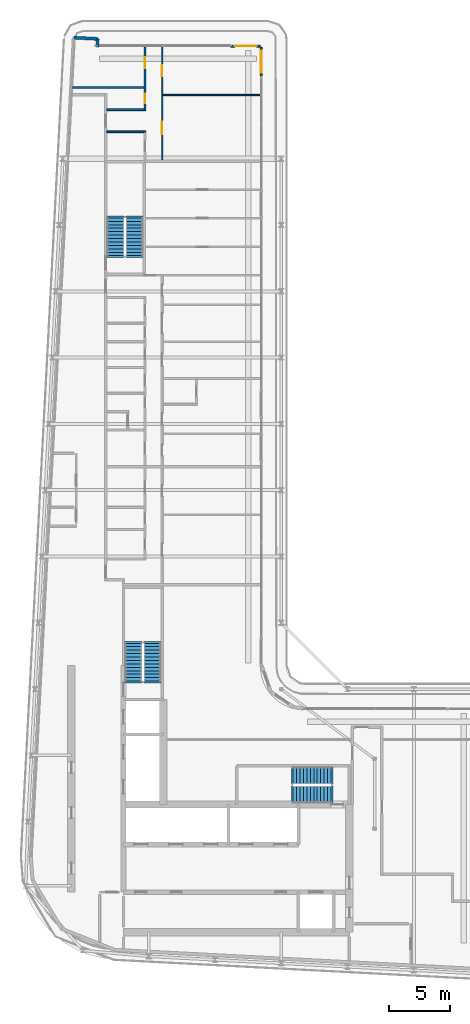
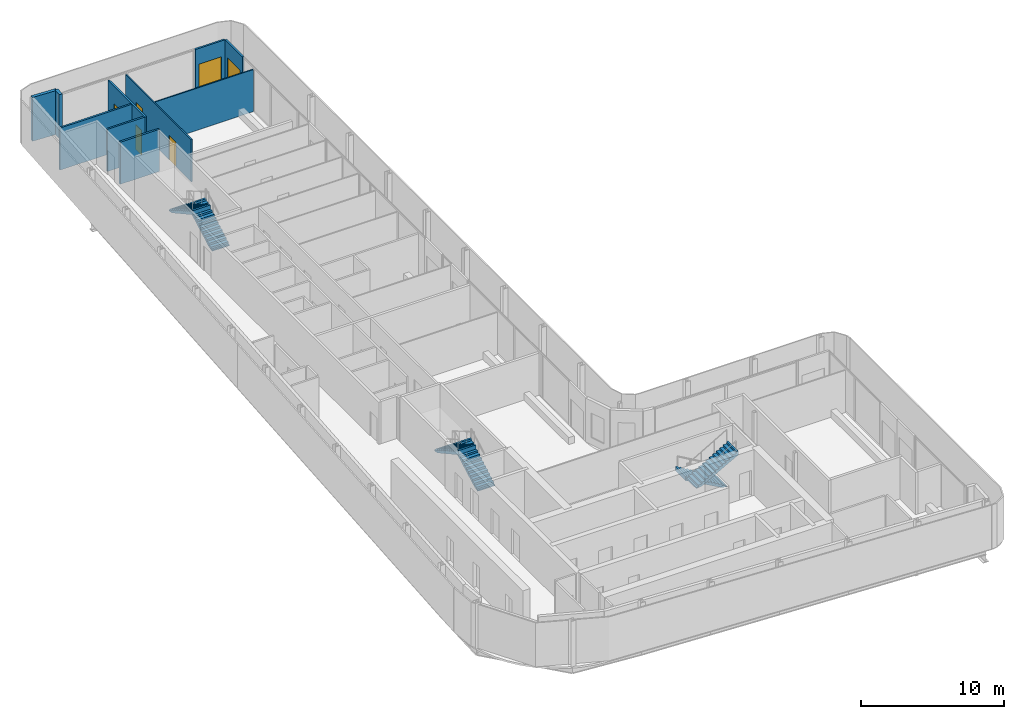
# One storey, part 15 of 21: 10 walls, 6 doors, 6 stair flights, 6 openings, 3 elements without a shape of their own.
"""IFC4 building model written with IfcOpenShell, lengths in metres."""

from ifc_helpers import new_model, si_unit, direction, frame, frame_2d, origin, place, context, subcontext, project, spatial, polyline, rectangle, outline, extrude, source, transform, mapped, material, layer, layer_set, type_object, element, fill, aggregate, save


model = new_model("IFC4")

# Units and contexts
model_context = context("Model", 3, precision=1e-05, world=origin(), true_north=direction((0.0, 1.0)))
body_context = subcontext(model_context, "Body", "Model", "MODEL_VIEW")
ifc_project = project(units=[si_unit("LENGTHUNIT", "METRE"), si_unit("AREAUNIT", "SQUARE_METRE"), si_unit("VOLUMEUNIT", "CUBIC_METRE"), si_unit("PLANEANGLEUNIT", "RADIAN"), si_unit("MASSUNIT", "GRAM", prefix="KILO")], contexts=[model_context])

# Site, building, storey
site_placement = place(None, origin())
site = spatial("IfcSite", under=ifc_project, at=site_placement, CompositionType="ELEMENT")
building_placement = place(site_placement, origin())
building = spatial("IfcBuilding", under=site, at=building_placement, Name="Kheshtan School and Residences Tower", CompositionType="ELEMENT")
storey_placement = place(building_placement, frame((0.0, 0.0, 278.60009765625)))
storey = spatial("IfcBuildingStorey", under=building, at=storey_placement, Name="L65", CompositionType="ELEMENT", Elevation=278.60009765625)

# Walls
ifc_material_1 = material(Name="Concrete C40/50 with ceramic cladding and mineral wool insulation", Category="concrete")
ifc_layer_1 = layer(ifc_material_1, 0.25)
ifc_layer_set_1 = layer_set([ifc_layer_1], Name="External wall 250 ceramic clad")
wall_type_1 = type_object("IfcWallType", Name="External wall 250 ceramic clad", PredefinedType="SOLIDWALL", material=ifc_layer_set_1)
wall_1_placement = place(storey_placement, frame((30.705078125, 98.6640625, 0.0), z_axis=(0.0, 0.0, 1.0), x_axis=(0.998577785791, -0.053314216913, 0.0)))
element("IfcWall", 1, at=wall_1_placement, inside=storey, type_object=wall_type_1, Name="External wall L65 5", PredefinedType="SOLIDWALL", context=body_context, shape_type="SweptSolid", body=[
    extrude(rectangle(XDim=1.95068359375, YDim=0.25, at=frame_2d((0.975341796875, 0.0))), origin(), (0.0, 0.0, 1.0), 3.75),
])
wall_2_placement = place(storey_placement, frame((32.653076171875, 98.56005859375, 0.0), z_axis=(0.0, 0.0, 1.0), x_axis=(-0.054093451632, -0.998535877418, 0.0)))
element("IfcWall", 2, at=wall_2_placement, inside=storey, type_object=wall_type_1, Name="External wall L65 6", PredefinedType="SOLIDWALL", context=body_context, shape_type="SweptSolid", body=[
    extrude(rectangle(XDim=0.66796875, YDim=0.25, at=frame_2d((0.333984375, 0.0))), origin(), (0.0, 0.0, 1.0), 3.75),
])

# Wall, opening, door
ifc_material_2 = material(Name="Aluminium frame wall with insulated infill", Category="aluminium")
ifc_layer_2 = layer(ifc_material_2, 0.14990234375)
ifc_layer_set_2 = layer_set([ifc_layer_2], Name="Glazing frame wall 150")
wall_type_2 = type_object("IfcWallType", Name="Glazing frame wall 150", PredefinedType="SOLIDWALL", material=ifc_layer_set_2)
wall_3_placement = place(storey_placement, frame((43.5, 97.97509765625, 0.0), z_axis=(0.0, 0.0, 1.0), x_axis=(1.0, 0.0, 0.0)))
wall_3 = element("IfcWall", 3, at=wall_3_placement, inside=storey, type_object=wall_type_2, Name="Balcony door wall L65 7.1", PredefinedType="SOLIDWALL", context=body_context, shape_type="SweptSolid", body=[
    extrude(rectangle(XDim=2.39990234375, YDim=0.14990234375, at=frame_2d((1.199951171875, 0.0))), origin(), (0.0, 0.0, 1.0), 3.75),
])
opening_1_placement = place(wall_3_placement, frame((0.300048828125, 0.0, 0.0)))
opening_1 = element("IfcOpeningElement", 4, at=opening_1_placement, cuts=wall_3, Name="Opening BD", PredefinedType="OPENING", context=body_context, shape_type="SweptSolid", body=[
    extrude(rectangle(XDim=1.800048828125, YDim=2.39990234375, at=frame_2d((0.89990234375, 1.199951171875))), frame((0.0, 0.0849609375, 0.0), z_axis=(0.0, -1.0, 0.0), x_axis=(1.0, 0.0, 0.0)), (0.0, 0.0, 1.0), 0.169921875),
])
ifc_material_3 = material(Name="Clear low-e glass in thermally broken aluminium frame", Category="aluminium")
door_type_1 = type_object("IfcDoorType", Name="Balcony sliding door", OperationType="SLIDING_TO_LEFT", PredefinedType="DOOR", material=ifc_material_3)
shared_shape_1 = source(origin(), body_context, "Body", "SweptSolid", [
    extrude(rectangle(XDim=1.800048828125, YDim=2.39990234375, at=frame_2d((0.89990234375, 1.199951171875))), frame((0.0, 0.02490234375, 0.0), z_axis=(0.0, -1.0, 0.0), x_axis=(1.0, 0.0, 0.0)), (0.0, 0.0, 1.0), 0.050048828125),
])
door_1_placement = place(opening_1_placement, origin())
door_1 = element("IfcDoor", 5, at=door_1_placement, inside=storey, type_object=door_type_1, Name="Balcony door L65 7.1", OperationType="SLIDING_TO_LEFT", OverallHeight=2.39990234375, OverallWidth=1.800048828125, PredefinedType="DOOR", context=body_context, shape_type="MappedRepresentation", body=[
    mapped(shared_shape_1, transform((0.0, 0.0, 0.0), x_axis=(1.0, 0.0, 0.0), y_axis=(0.0, 1.0, 0.0), z_axis=(0.0, 0.0, 1.0), scale=1.0)),
])
fill(opening_1, door_1)

wall_4_placement = place(storey_placement, frame((45.97509765625, 97.89990234375, 0.0), z_axis=(0.0, 0.0, 1.0), x_axis=(0.0, -1.0, 0.0)))
wall_4 = element("IfcWall", 6, at=wall_4_placement, inside=storey, type_object=wall_type_2, Name="Balcony door wall L65 8.1", PredefinedType="SOLIDWALL", context=body_context, shape_type="SweptSolid", body=[
    extrude(rectangle(XDim=2.39990234375, YDim=0.14990234375, at=frame_2d((1.199951171875, 0.0))), origin(), (0.0, 0.0, 1.0), 3.75),
])
opening_2_placement = place(wall_4_placement, frame((0.300048828125, 0.0, 0.0)))
opening_2 = element("IfcOpeningElement", 7, at=opening_2_placement, cuts=wall_4, Name="Opening BD", PredefinedType="OPENING", context=body_context, shape_type="SweptSolid", body=[
    extrude(rectangle(XDim=1.800048828125, YDim=2.39990234375, at=frame_2d((0.89990234375, 1.199951171875))), frame((0.0, 0.0849609375, 0.0), z_axis=(0.0, -1.0, 0.0), x_axis=(1.0, 0.0, 0.0)), (0.0, 0.0, 1.0), 0.169921875),
])
door_2_placement = place(opening_2_placement, origin())
door_2 = element("IfcDoor", 8, at=door_2_placement, inside=storey, type_object=door_type_1, Name="Balcony door L65 8.1", OperationType="SLIDING_TO_LEFT", OverallHeight=2.39990234375, OverallWidth=1.800048828125, PredefinedType="DOOR", context=body_context, shape_type="MappedRepresentation", body=[
    mapped(shared_shape_1, transform((0.0, 0.0, 0.0), x_axis=(1.0, 0.0, 0.0), y_axis=(0.0, 1.0, 0.0), z_axis=(0.0, 0.0, 1.0), scale=1.0)),
])
fill(opening_2, door_2)

# Wall, openings, doors
ifc_material_4 = material(Name="Gypsum board on steel studs", Category="steel")
ifc_layer_3 = layer(ifc_material_4, 0.10009765625)
ifc_layer_set_3 = layer_set([ifc_layer_3], Name="Gypsum partition 100")
wall_type_3 = type_object("IfcWallType", Name="Gypsum partition 100", PredefinedType="PARTITIONING", material=ifc_layer_set_3)
wall_5_placement = place(storey_placement, frame((37.89990234375, 88.699951171875, 0.0), z_axis=(0.0, 0.0, 1.0), x_axis=(0.0, 1.0, 0.0)))
wall_5 = element("IfcWall", 9, at=wall_5_placement, inside=storey, type_object=wall_type_3, Name="Partition L65-033", PredefinedType="PARTITIONING", context=body_context, shape_type="SweptSolid", body=[
    extrude(rectangle(XDim=9.199951171875, YDim=0.10009765625, at=frame_2d((4.60009765625, 0.0))), origin(), (0.0, 0.0, 1.0), 3.599853515625),
])
opening_3_placement = place(wall_5_placement, frame((6.800048828125, 0.0, 0.0)))
opening_3 = element("IfcOpeningElement", 10, at=opening_3_placement, cuts=wall_5, Name="Opening D64-026", PredefinedType="OPENING", context=body_context, shape_type="SweptSolid", body=[
    extrude(rectangle(XDim=0.89990234375, YDim=2.10009765625, at=frame_2d((0.449951171875, 1.050048828125))), frame((0.0, 0.06005859375, 0.0), z_axis=(0.0, -1.0, 0.0), x_axis=(1.0, 0.0, 0.0)), (0.0, 0.0, 1.0), 0.1201171875),
])
opening_4_placement = place(wall_5_placement, frame((2.10009765625, 0.0, 0.0)))
opening_4 = element("IfcOpeningElement", 11, at=opening_4_placement, cuts=wall_5, Name="Opening D64-029", PredefinedType="OPENING", context=body_context, shape_type="SweptSolid", body=[
    extrude(rectangle(XDim=1.0, YDim=2.10009765625, at=frame_2d((0.5, 1.050048828125))), frame((0.0, 0.06005859375, 0.0), z_axis=(0.0, -1.0, 0.0), x_axis=(1.0, 0.0, 0.0)), (0.0, 0.0, 1.0), 0.1201171875),
])
ifc_material_5 = material(Name="Veneered timber door leaf", Category="wood")
door_type_2 = type_object("IfcDoorType", Name="Door 1000 x 2100", OperationType="SINGLE_SWING_LEFT", PredefinedType="DOOR", material=ifc_material_5)
shared_shape_2 = source(origin(), body_context, "Body", "SweptSolid", [
    extrude(rectangle(XDim=1.0, YDim=2.10009765625, at=frame_2d((0.5, 1.050048828125))), frame((0.0, 0.02490234375, 0.0), z_axis=(0.0, -1.0, 0.0), x_axis=(1.0, 0.0, 0.0)), (0.0, 0.0, 1.0), 0.050048828125),
])
door_3_placement = place(opening_4_placement, origin())
door_3 = element("IfcDoor", 12, at=door_3_placement, inside=storey, type_object=door_type_2, Name="Door D64-029", OperationType="SINGLE_SWING_LEFT", OverallHeight=2.10009765625, OverallWidth=1.0, PredefinedType="DOOR", context=body_context, shape_type="MappedRepresentation", body=[
    mapped(shared_shape_2, transform((0.0, 0.0, 0.0), x_axis=(1.0, 0.0, 0.0), y_axis=(0.0, 1.0, 0.0), z_axis=(0.0, 0.0, 1.0), scale=1.0)),
])
fill(opening_4, door_3)
door_type_3 = type_object("IfcDoorType", Name="Door 900 x 2100", OperationType="SINGLE_SWING_LEFT", PredefinedType="DOOR", material=ifc_material_5)
shared_shape_3 = source(origin(), body_context, "Body", "SweptSolid", [
    extrude(rectangle(XDim=0.89990234375, YDim=2.10009765625, at=frame_2d((0.449951171875, 1.050048828125))), frame((0.0, 0.02490234375, 0.0), z_axis=(0.0, -1.0, 0.0), x_axis=(1.0, 0.0, 0.0)), (0.0, 0.0, 1.0), 0.050048828125),
])
door_4_placement = place(opening_3_placement, origin())
door_4 = element("IfcDoor", 13, at=door_4_placement, inside=storey, type_object=door_type_3, Name="Door D64-026", OperationType="SINGLE_SWING_RIGHT", OverallHeight=2.10009765625, OverallWidth=0.89990234375, PredefinedType="DOOR", context=body_context, shape_type="MappedRepresentation", body=[
    mapped(shared_shape_3, transform((0.0, 0.0, 0.0), x_axis=(1.0, 0.0, 0.0), y_axis=(0.0, 1.0, 0.0), z_axis=(0.0, 0.0, 1.0), scale=1.0)),
])
fill(opening_3, door_4)

# Walls
wall_6_placement = place(storey_placement, frame((37.949951171875, 94.0, 0.0), z_axis=(0.0, 0.0, 1.0), x_axis=(1.0, 0.0, 0.0)))
element("IfcWall", 14, at=wall_6_placement, inside=storey, type_object=wall_type_3, Name="Partition L65-034", PredefinedType="PARTITIONING", context=body_context, shape_type="SweptSolid", body=[
    extrude(rectangle(XDim=7.949951171875, YDim=0.10009765625, at=frame_2d((3.97509765625, 0.0))), origin(), (0.0, 0.0, 1.0), 3.599853515625),
])
ifc_material_6 = material(Name="Moisture-resistant gypsum board on steel studs", Category="steel")
ifc_layer_4 = layer(ifc_material_6, 0.14990234375)
ifc_layer_set_4 = layer_set([ifc_layer_4], Name="Wet-room partition 150")
wall_type_4 = type_object("IfcWallType", Name="Wet-room partition 150", PredefinedType="PARTITIONING", material=ifc_layer_set_4)
wall_7_placement = place(storey_placement, frame((30.616943359375, 94.60009765625, 0.0), z_axis=(0.0, 0.0, 1.0), x_axis=(1.0, 0.0, 0.0)))
element("IfcWall", 15, at=wall_7_placement, inside=storey, type_object=wall_type_4, Name="Partition L65-001", PredefinedType="PARTITIONING", context=body_context, shape_type="SweptSolid", body=[
    extrude(rectangle(XDim=5.80810546875, YDim=0.14990234375, at=frame_2d((2.904052734375, 0.0))), origin(), (0.0, 0.0, 1.0), 3.599853515625),
])
wall_8_placement = place(storey_placement, frame((33.39990234375, 91.0, 0.0), z_axis=(0.0, 0.0, 1.0), x_axis=(1.0, 0.0, 0.0)))
element("IfcWall", 16, at=wall_8_placement, inside=storey, type_object=wall_type_4, Name="Partition L65-018", PredefinedType="PARTITIONING", context=body_context, shape_type="SweptSolid", body=[
    extrude(rectangle(XDim=3.175048828125, YDim=0.14990234375, at=frame_2d((1.58740234375, 0.0))), origin(), (0.0, 0.0, 1.0), 3.599853515625),
])
wall_9_placement = place(storey_placement, frame((33.39990234375, 92.800048828125, 0.0), z_axis=(0.0, 0.0, 1.0), x_axis=(1.0, 0.0, 0.0)))
element("IfcWall", 17, at=wall_9_placement, inside=storey, type_object=wall_type_4, Name="Partition L65-019", PredefinedType="PARTITIONING", context=body_context, shape_type="SweptSolid", body=[
    extrude(rectangle(XDim=3.025146484375, YDim=0.14990234375, at=frame_2d((1.5126953125, 0.0))), origin(), (0.0, 0.0, 1.0), 3.599853515625),
])

# Wall, openings, doors
wall_10_placement = place(storey_placement, frame((36.5, 92.72509765625, 0.0), z_axis=(0.0, 0.0, 1.0), x_axis=(0.0, 1.0, 0.0)))
wall_10 = element("IfcWall", 18, at=wall_10_placement, inside=storey, type_object=wall_type_4, Name="Partition L65-027", PredefinedType="PARTITIONING", context=body_context, shape_type="SweptSolid", body=[
    extrude(rectangle(XDim=5.1748046875, YDim=0.14990234375, at=frame_2d((2.58740234375, 0.0))), origin(), (0.0, 0.0, 1.0), 3.599853515625),
])
opening_5_placement = place(wall_10_placement, frame((3.425048828125, 0.0, 0.0)))
opening_5 = element("IfcOpeningElement", 19, at=opening_5_placement, cuts=wall_10, Name="Opening D64-028", PredefinedType="OPENING", context=body_context, shape_type="SweptSolid", body=[
    extrude(rectangle(XDim=0.89990234375, YDim=2.10009765625, at=frame_2d((0.449951171875, 1.050048828125))), frame((0.0, 0.0849609375, 0.0), z_axis=(0.0, -1.0, 0.0), x_axis=(1.0, 0.0, 0.0)), (0.0, 0.0, 1.0), 0.169921875),
])
opening_6_placement = place(wall_10_placement, frame((0.574951171875, 0.0, 0.0)))
opening_6 = element("IfcOpeningElement", 20, at=opening_6_placement, cuts=wall_10, Name="Opening D64-030", PredefinedType="OPENING", context=body_context, shape_type="SweptSolid", body=[
    extrude(rectangle(XDim=0.800048828125, YDim=2.10009765625, at=frame_2d((0.39990234375, 1.050048828125))), frame((0.0, 0.0849609375, 0.0), z_axis=(0.0, -1.0, 0.0), x_axis=(1.0, 0.0, 0.0)), (0.0, 0.0, 1.0), 0.169921875),
])
door_type_4 = type_object("IfcDoorType", Name="Door 800 x 2100", OperationType="SINGLE_SWING_LEFT", PredefinedType="DOOR", material=ifc_material_5)
shared_shape_4 = source(origin(), body_context, "Body", "SweptSolid", [
    extrude(rectangle(XDim=0.800048828125, YDim=2.10009765625, at=frame_2d((0.39990234375, 1.050048828125))), frame((0.0, 0.02490234375, 0.0), z_axis=(0.0, -1.0, 0.0), x_axis=(1.0, 0.0, 0.0)), (0.0, 0.0, 1.0), 0.050048828125),
])
door_5_placement = place(opening_6_placement, origin())
door_5 = element("IfcDoor", 21, at=door_5_placement, inside=storey, type_object=door_type_4, Name="Door D64-030", OperationType="SINGLE_SWING_RIGHT", OverallHeight=2.10009765625, OverallWidth=0.800048828125, PredefinedType="DOOR", context=body_context, shape_type="MappedRepresentation", body=[
    mapped(shared_shape_4, transform((0.0, 0.0, 0.0), x_axis=(1.0, 0.0, 0.0), y_axis=(0.0, 1.0, 0.0), z_axis=(0.0, 0.0, 1.0), scale=1.0)),
])
fill(opening_6, door_5)
door_6_placement = place(opening_5_placement, origin())
door_6 = element("IfcDoor", 22, at=door_6_placement, inside=storey, type_object=door_type_3, Name="Door D64-028", OperationType="SINGLE_SWING_RIGHT", OverallHeight=2.10009765625, OverallWidth=0.89990234375, PredefinedType="DOOR", context=body_context, shape_type="MappedRepresentation", body=[
    mapped(shared_shape_3, transform((0.0, 0.0, 0.0), x_axis=(1.0, 0.0, 0.0), y_axis=(0.0, 1.0, 0.0), z_axis=(0.0, 0.0, 1.0), scale=1.0)),
])
fill(opening_5, door_6)

# Stair, stair flights
ifc_material_7 = material(Name="Concrete C40/50", Category="concrete")
stair_type = type_object("IfcStairType", Name="Exit stair, half-turn", PredefinedType="HALF_TURN_STAIR", material=ifc_material_7)
stair_1_placement = place(storey_placement, origin())
stair_1 = element("IfcStair", 23, at=stair_1_placement, inside=storey, type_object=stair_type, Name="L65 Protected Exit Stair ST1", PredefinedType="HALF_TURN_STAIR")
ifc_layer_5 = layer(ifc_material_7, 0.14990234375)
ifc_layer_set_5 = layer_set([ifc_layer_5], Name="Stair flight 1400 Concrete C40/50")
stair_flight_type = type_object("IfcStairFlightType", Name="Stair flight 1400 Concrete C40/50", PredefinedType="STRAIGHT", material=ifc_layer_set_5)
stair_flight_1_placement = place(storey_placement, frame((51.64990234375, 38.550048828125, 0.0), z_axis=(0.0, 0.0, 1.0), x_axis=(-1.0, 0.0, 0.0)))
stair_flight_1 = element("IfcStairFlight", 24, at=stair_flight_1_placement, type_object=stair_flight_type, Name="ST1 flight 1", NumberOfRisers=12, NumberOfTreads=11, PredefinedType="STRAIGHT", RiserHeight=0.1625, TreadLength=0.28, context=body_context, shape_type="SweptSolid", body=[
    extrude(outline(polyline([(-0.14990234375, -0.10009765625), (-0.14990234375, 0.0), (0.0, 0.0), (0.0, 0.16259765625), (0.280029296875, 0.16259765625), (0.280029296875, 0.324951171875), (0.56005859375, 0.324951171875), (0.56005859375, 0.487548828125), (0.840087890625, 0.487548828125), (0.840087890625, 0.64990234375), (1.1201171875, 0.64990234375), (1.1201171875, 0.8125), (1.39990234375, 0.8125), (1.39990234375, 0.97509765625), (1.679931640625, 0.97509765625), (1.679931640625, 1.137451171875), (1.9599609375, 1.137451171875), (1.9599609375, 1.300048828125), (2.239990234375, 1.300048828125), (2.239990234375, 1.46240234375), (2.52001953125, 1.46240234375), (2.52001953125, 1.625), (2.800048828125, 1.625), (2.800048828125, 1.78759765625), (3.080078125, 1.78759765625), (3.080078125, 1.949951171875), (3.080078125, 1.969970703125), (3.22998046875, 1.969970703125), (3.22998046875, 1.6142578125), (0.298583984375, 0.0), (-0.14990234375, -0.10009765625)])), frame((0.0, 0.699951171875, 0.0), z_axis=(0.0, -1.0, 0.0), x_axis=(1.0, 0.0, 0.0)), (0.0, 0.0, 1.0), 1.39990234375),
])
stair_flight_2_placement = place(storey_placement, frame((48.570068359375, 37.0, 1.949951171875), z_axis=(0.0, 0.0, 1.0), x_axis=(1.0, 0.0, 0.0)))
stair_flight_2 = element("IfcStairFlight", 25, at=stair_flight_2_placement, type_object=stair_flight_type, Name="ST1 flight 2", NumberOfRisers=12, NumberOfTreads=11, PredefinedType="STRAIGHT", RiserHeight=0.1625, TreadLength=0.28, context=body_context, shape_type="SweptSolid", body=[
    extrude(outline(polyline([(-0.14990234375, -0.10009765625), (-0.14990234375, 0.0), (0.0, 0.0), (0.0, 0.16259765625), (0.280029296875, 0.16259765625), (0.280029296875, 0.324951171875), (0.56005859375, 0.324951171875), (0.56005859375, 0.487548828125), (0.840087890625, 0.487548828125), (0.840087890625, 0.64990234375), (1.1201171875, 0.64990234375), (1.1201171875, 0.8125), (1.39990234375, 0.8125), (1.39990234375, 0.97509765625), (1.679931640625, 0.97509765625), (1.679931640625, 1.137451171875), (1.9599609375, 1.137451171875), (1.9599609375, 1.300048828125), (2.239990234375, 1.300048828125), (2.239990234375, 1.46240234375), (2.52001953125, 1.46240234375), (2.52001953125, 1.625), (2.800048828125, 1.625), (2.800048828125, 1.78759765625), (3.080078125, 1.78759765625), (3.080078125, 1.949951171875), (3.080078125, 1.969970703125), (3.22998046875, 1.969970703125), (3.22998046875, 1.6142578125), (0.298583984375, 0.0), (-0.14990234375, -0.10009765625)])), frame((0.0, 0.699951171875, 0.0), z_axis=(0.0, -1.0, 0.0), x_axis=(1.0, 0.0, 0.0)), (0.0, 0.0, 1.0), 1.39990234375),
])
aggregate(stair_1, [stair_flight_1, stair_flight_2])

stair_2_placement = place(storey_placement, origin())
stair_2 = element("IfcStair", 26, at=stair_2_placement, inside=storey, type_object=stair_type, Name="L65 Protected Exit Stair ST2", PredefinedType="HALF_TURN_STAIR")
stair_flight_3_placement = place(storey_placement, frame((37.10009765625, 46.25, 0.0), z_axis=(0.0, 0.0, 1.0), x_axis=(0.0, 1.0, 0.0)))
stair_flight_3 = element("IfcStairFlight", 27, at=stair_flight_3_placement, type_object=stair_flight_type, Name="ST2 flight 1", NumberOfRisers=12, NumberOfTreads=11, PredefinedType="STRAIGHT", RiserHeight=0.1625, TreadLength=0.28, context=body_context, shape_type="SweptSolid", body=[
    extrude(outline(polyline([(-0.14990234375, -0.10009765625), (-0.14990234375, 0.0), (0.0, 0.0), (0.0, 0.16259765625), (0.280029296875, 0.16259765625), (0.280029296875, 0.324951171875), (0.56005859375, 0.324951171875), (0.56005859375, 0.487548828125), (0.840087890625, 0.487548828125), (0.840087890625, 0.64990234375), (1.1201171875, 0.64990234375), (1.1201171875, 0.8125), (1.39990234375, 0.8125), (1.39990234375, 0.97509765625), (1.679931640625, 0.97509765625), (1.679931640625, 1.137451171875), (1.9599609375, 1.137451171875), (1.9599609375, 1.300048828125), (2.239990234375, 1.300048828125), (2.239990234375, 1.46240234375), (2.52001953125, 1.46240234375), (2.52001953125, 1.625), (2.800048828125, 1.625), (2.800048828125, 1.78759765625), (3.080078125, 1.78759765625), (3.080078125, 1.949951171875), (3.080078125, 1.969970703125), (3.22998046875, 1.969970703125), (3.22998046875, 1.6142578125), (0.298583984375, 0.0), (-0.14990234375, -0.10009765625)])), frame((0.0, 0.699951171875, 0.0), z_axis=(0.0, -1.0, 0.0), x_axis=(1.0, 0.0, 0.0)), (0.0, 0.0, 1.0), 1.39990234375),
])
stair_flight_4_placement = place(storey_placement, frame((35.550048828125, 49.330078125, 1.949951171875), z_axis=(0.0, 0.0, 1.0), x_axis=(0.0, -1.0, 0.0)))
stair_flight_4 = element("IfcStairFlight", 28, at=stair_flight_4_placement, type_object=stair_flight_type, Name="ST2 flight 2", NumberOfRisers=12, NumberOfTreads=11, PredefinedType="STRAIGHT", RiserHeight=0.1625, TreadLength=0.28, context=body_context, shape_type="SweptSolid", body=[
    extrude(outline(polyline([(-0.14990234375, -0.10009765625), (-0.14990234375, 0.0), (0.0, 0.0), (0.0, 0.16259765625), (0.280029296875, 0.16259765625), (0.280029296875, 0.324951171875), (0.56005859375, 0.324951171875), (0.56005859375, 0.487548828125), (0.840087890625, 0.487548828125), (0.840087890625, 0.64990234375), (1.1201171875, 0.64990234375), (1.1201171875, 0.8125), (1.39990234375, 0.8125), (1.39990234375, 0.97509765625), (1.679931640625, 0.97509765625), (1.679931640625, 1.137451171875), (1.9599609375, 1.137451171875), (1.9599609375, 1.300048828125), (2.239990234375, 1.300048828125), (2.239990234375, 1.46240234375), (2.52001953125, 1.46240234375), (2.52001953125, 1.625), (2.800048828125, 1.625), (2.800048828125, 1.78759765625), (3.080078125, 1.78759765625), (3.080078125, 1.949951171875), (3.080078125, 1.969970703125), (3.22998046875, 1.969970703125), (3.22998046875, 1.6142578125), (0.298583984375, 0.0), (-0.14990234375, -0.10009765625)])), frame((0.0, 0.699951171875, 0.0), z_axis=(0.0, -1.0, 0.0), x_axis=(1.0, 0.0, 0.0)), (0.0, 0.0, 1.0), 1.39990234375),
])
aggregate(stair_2, [stair_flight_3, stair_flight_4])

stair_3_placement = place(storey_placement, origin())
stair_3 = element("IfcStair", 29, at=stair_3_placement, inside=storey, type_object=stair_type, Name="L65 Protected Exit Stair ST3", PredefinedType="HALF_TURN_STAIR")
stair_flight_5_placement = place(storey_placement, frame((35.64990234375, 80.89990234375, 0.0), z_axis=(0.0, 0.0, 1.0), x_axis=(0.0, 1.0, 0.0)))
stair_flight_5 = element("IfcStairFlight", 30, at=stair_flight_5_placement, type_object=stair_flight_type, Name="ST3 flight 1", NumberOfRisers=12, NumberOfTreads=11, PredefinedType="STRAIGHT", RiserHeight=0.1625, TreadLength=0.28, context=body_context, shape_type="SweptSolid", body=[
    extrude(outline(polyline([(-0.14990234375, -0.10009765625), (-0.14990234375, 0.0), (0.0, 0.0), (0.0, 0.16259765625), (0.280029296875, 0.16259765625), (0.280029296875, 0.324951171875), (0.56005859375, 0.324951171875), (0.56005859375, 0.487548828125), (0.840087890625, 0.487548828125), (0.840087890625, 0.64990234375), (1.1201171875, 0.64990234375), (1.1201171875, 0.8125), (1.39990234375, 0.8125), (1.39990234375, 0.97509765625), (1.679931640625, 0.97509765625), (1.679931640625, 1.137451171875), (1.9599609375, 1.137451171875), (1.9599609375, 1.300048828125), (2.239990234375, 1.300048828125), (2.239990234375, 1.46240234375), (2.52001953125, 1.46240234375), (2.52001953125, 1.625), (2.800048828125, 1.625), (2.800048828125, 1.78759765625), (3.080078125, 1.78759765625), (3.080078125, 1.949951171875), (3.080078125, 1.969970703125), (3.22998046875, 1.969970703125), (3.22998046875, 1.6142578125), (0.298583984375, 0.0), (-0.14990234375, -0.10009765625)])), frame((0.0, 0.699951171875, 0.0), z_axis=(0.0, -1.0, 0.0), x_axis=(1.0, 0.0, 0.0)), (0.0, 0.0, 1.0), 1.39990234375),
])
stair_flight_6_placement = place(storey_placement, frame((34.10009765625, 83.97998046875, 1.949951171875), z_axis=(0.0, 0.0, 1.0), x_axis=(0.0, -1.0, 0.0)))
stair_flight_6 = element("IfcStairFlight", 31, at=stair_flight_6_placement, type_object=stair_flight_type, Name="ST3 flight 2", NumberOfRisers=12, NumberOfTreads=11, PredefinedType="STRAIGHT", RiserHeight=0.1625, TreadLength=0.28, context=body_context, shape_type="SweptSolid", body=[
    extrude(outline(polyline([(-0.14990234375, -0.10009765625), (-0.14990234375, 0.0), (0.0, 0.0), (0.0, 0.16259765625), (0.280029296875, 0.16259765625), (0.280029296875, 0.324951171875), (0.56005859375, 0.324951171875), (0.56005859375, 0.487548828125), (0.840087890625, 0.487548828125), (0.840087890625, 0.64990234375), (1.1201171875, 0.64990234375), (1.1201171875, 0.8125), (1.39990234375, 0.8125), (1.39990234375, 0.97509765625), (1.679931640625, 0.97509765625), (1.679931640625, 1.137451171875), (1.9599609375, 1.137451171875), (1.9599609375, 1.300048828125), (2.239990234375, 1.300048828125), (2.239990234375, 1.46240234375), (2.52001953125, 1.46240234375), (2.52001953125, 1.625), (2.800048828125, 1.625), (2.800048828125, 1.78759765625), (3.080078125, 1.78759765625), (3.080078125, 1.949951171875), (3.080078125, 1.969970703125), (3.22998046875, 1.969970703125), (3.22998046875, 1.6142578125), (0.298583984375, 0.0), (-0.14990234375, -0.10009765625)])), frame((0.0, 0.699951171875, 0.0), z_axis=(0.0, -1.0, 0.0), x_axis=(1.0, 0.0, 0.0)), (0.0, 0.0, 1.0), 1.39990234375),
])
aggregate(stair_3, [stair_flight_5, stair_flight_6])

save(model, "model.ifc")
